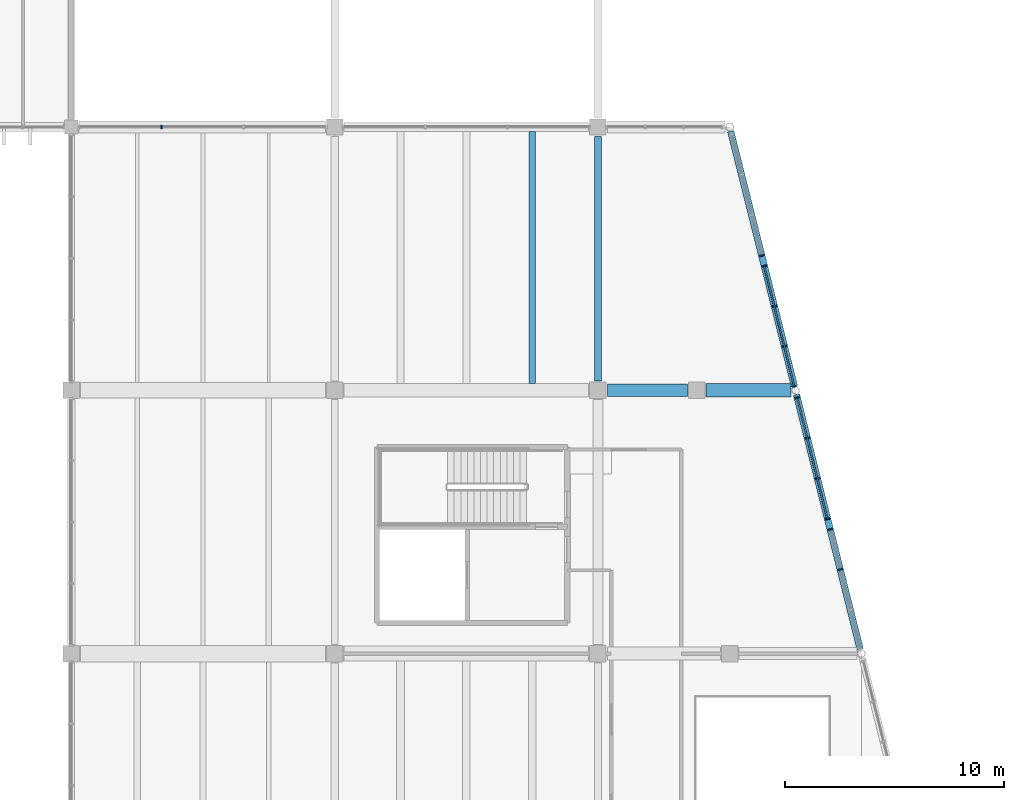
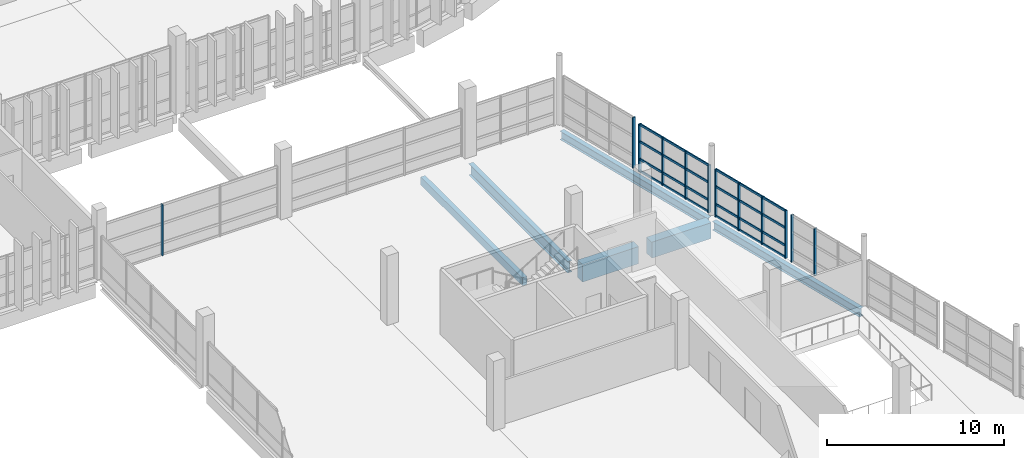
# One storey, part 45 of 112: 20 members, 6 beams, 5 elements without a shape of their own.
"""IFC4 building model written with IfcOpenShell, lengths in metres."""

import ifcopenshell
import ifcopenshell.guid

model = None  # the IFC model being written
_history = None  # IfcOwnerHistory: only IFC2X3 demands one
_inside = {}  # id of a spatial element -> (the spatial element, [elements in it])
_under = {}  # id of a project, library or spatial element -> (it, [spatial elements below it])
_declared = {}  # id of a project -> (the project, [libraries it declares])
_typed = {}  # id of a type object -> (the type object, [elements of that type])
_made_of = {}  # id of a material, layer set ... -> (it, [elements and type objects made of it])


def new_model(schema):
    """Start an empty IFC model of exactly this schema.

    Asked for "IFC4X3", IfcOpenShell would pick the latest addendum, in which some entities
    have other attributes; the version numbers below select the first issue.
    IFC2X3 requires an IfcOwnerHistory on every rooted entity: one is made here for all.
    """
    global model, _history
    if schema == "IFC4X3":
        model = ifcopenshell.file(schema_version=(4, 3, 0, 0))
    else:
        model = ifcopenshell.file(schema=schema)
    _inside.clear()
    _under.clear()
    _declared.clear()
    _typed.clear()
    _made_of.clear()
    _history = None
    if model.schema == "IFC2X3":
        org = make("IfcOrganization", Name="unknown")
        user = make(
            "IfcPersonAndOrganization",
            ThePerson=make("IfcPerson", FamilyName="unknown"),
            TheOrganization=org,
        )
        app = make(
            "IfcApplication",
            ApplicationDeveloper=org,
            Version="unknown",
            ApplicationFullName="unknown",
            ApplicationIdentifier="unknown",
        )
        _history = make(
            "IfcOwnerHistory",
            OwningUser=user,
            OwningApplication=app,
            ChangeAction="ADDED",
            CreationDate=0,
        )
    return model


def make(cls, **values):
    """One entity of the class cls with the attributes given. An attribute that is None is left unset."""
    return model.create_entity(
        cls, **{name: value for name, value in values.items() if value is not None}
    )


def rooted(cls, **values):
    """An entity with a GlobalId (a new one), such as an element, a storey or a relation."""
    return make(cls, GlobalId=ifcopenshell.guid.new(), OwnerHistory=_history, **values)


def si_unit(unit_type, name, prefix=None):
    """IfcSIUnit, for example si_unit("LENGTHUNIT", "METRE", prefix="MILLI")."""
    return make("IfcSIUnit", UnitType=unit_type, Prefix=prefix, Name=name)


def assignment(units):
    """IfcUnitAssignment: the units of a project."""
    return None if units is None else make("IfcUnitAssignment", Units=units)


def point(xyz):
    """IfcCartesianPoint."""
    return None if xyz is None else make("IfcCartesianPoint", Coordinates=xyz)


def direction(xyz):
    """IfcDirection."""
    return None if xyz is None else make("IfcDirection", DirectionRatios=xyz)


def frame(location, z_axis=None, x_axis=None):
    """IfcAxis2Placement3D, a coordinate frame: its origin and axes. An axis left out is left unset."""
    return make(
        "IfcAxis2Placement3D",
        Location=point(location),
        Axis=direction(z_axis),
        RefDirection=direction(x_axis),
    )


def frame_2d(location, x_axis=None):
    """IfcAxis2Placement2D, a coordinate frame in the plane: its origin and x axis."""
    return make(
        "IfcAxis2Placement2D", Location=point(location), RefDirection=direction(x_axis)
    )


def origin():
    """The frame at (0, 0, 0) with its axes left unset."""
    return frame((0.0, 0.0, 0.0))


def origin_2d():
    """The frame at (0, 0) in the plane with its x axis left unset."""
    return frame_2d((0.0, 0.0))


def place(relative_to, where):
    """IfcLocalPlacement: puts the frame where relative to a parent placement (None: the world)."""
    return make(
        "IfcLocalPlacement", PlacementRelTo=relative_to, RelativePlacement=where
    )


def context(
    kind, dimensions, precision=None, world=None, true_north=None, identifier=None
):
    """IfcGeometricRepresentationContext, for example the 3D "Model" context."""
    return make(
        "IfcGeometricRepresentationContext",
        ContextIdentifier=identifier,
        ContextType=kind,
        CoordinateSpaceDimension=dimensions,
        Precision=precision,
        WorldCoordinateSystem=world,
        TrueNorth=true_north,
    )


def subcontext(parent, identifier, kind, view, scale=None):
    """IfcGeometricRepresentationSubContext, for example "Body" below "Model"."""
    return make(
        "IfcGeometricRepresentationSubContext",
        ContextIdentifier=identifier,
        ContextType=kind,
        ParentContext=parent,
        TargetScale=scale,
        TargetView=view,
    )


def project(units=None, contexts=None):
    """IfcProject with its units and contexts."""
    return rooted(
        "IfcProject",
        Name="project",
        RepresentationContexts=contexts,
        UnitsInContext=assignment(units),
    )


def spatial(cls, under=None, at=None, **own):
    """A site, building, storey or space (cls), placed at a placement, below another one or the project."""
    s = rooted(cls, ObjectPlacement=at, **own)
    if under is not None:
        _under.setdefault(under.id(), (under, []))[1].append(s)
    return s


def profile(cls, at=None, kind="AREA", **sizes):
    """A parametric profile (cls). Its sizes go by their IFC names, for example OverallWidth=200.0."""
    return make(cls, ProfileType=kind, Position=at, **sizes)


def rectangle(**sizes):
    """IfcRectangleProfileDef."""
    return profile("IfcRectangleProfileDef", **sizes)


def i_section(**sizes):
    """IfcIShapeProfileDef."""
    return profile("IfcIShapeProfileDef", **sizes)


def extrude(swept, where, along, depth):
    """IfcExtrudedAreaSolid: the profile swept, set in the frame where, extruded along a direction by depth."""
    return make(
        "IfcExtrudedAreaSolid",
        SweptArea=swept,
        Position=where,
        ExtrudedDirection=direction(along),
        Depth=depth,
    )


def shape(context_of_items, identifier, shape_type, items):
    """IfcShapeRepresentation: the items that make up one representation, for example the "Body"."""
    return make(
        "IfcShapeRepresentation",
        ContextOfItems=context_of_items,
        RepresentationIdentifier=identifier,
        RepresentationType=shape_type,
        Items=items,
    )


def material(Name=None, Category=None):
    """IfcMaterial."""
    return make("IfcMaterial", Name=Name, Category=Category)


def material_profile(
    of_material, cross_section, Name=None, Category=None, Priority=None
):
    """IfcMaterialProfile: a cross section and its material."""
    return make(
        "IfcMaterialProfile",
        Name=Name,
        Material=of_material,
        Profile=cross_section,
        Priority=Priority,
        Category=Category,
    )


def profile_set(profiles, Name=None, composite=None):
    """IfcMaterialProfileSet."""
    return make(
        "IfcMaterialProfileSet",
        Name=Name,
        MaterialProfiles=profiles,
        CompositeProfile=composite,
    )


def made_of(thing, what):
    """Note that an element or type object is made of a material, layer set ...; save() writes the relation."""
    if what is not None:
        _made_of.setdefault(what.id(), (what, []))[1].append(thing)
    return thing


def type_object(cls, material=None, **own):
    """A type object (cls), such as IfcWallType, which elements share."""
    return made_of(rooted(cls, **own), material)


def element(
    cls,
    number,
    at=None,
    inside=None,
    cuts=None,
    type_object=None,
    material=None,
    context=None,
    identifier="Body",
    shape_type=None,
    held_by="IfcProductDefinitionShape",
    body=None,
    shapes=None,
    **own,
):
    """One element of the class cls, such as IfcWall. Its Tag is "e" and its number.

    at: its placement. inside: the storey or other place that contains it. cuts: it is an
    opening in that element (IfcRelVoidsElement). A single representation is given by context,
    identifier, shape_type and body (its items); several are given by shapes. held_by: the class
    of the entity that holds the representations. save() writes the other relations.
    """
    e = rooted(cls, Tag="e%d" % number, ObjectPlacement=at, **own)
    if body is not None:
        shapes = [shape(context, identifier, shape_type, body)]
    if shapes is not None:
        e.Representation = make(held_by, Representations=shapes)
    if inside is not None:
        _inside.setdefault(inside.id(), (inside, []))[1].append(e)
    if cuts is not None:
        rooted(
            "IfcRelVoidsElement", RelatingBuildingElement=cuts, RelatedOpeningElement=e
        )
    if type_object is not None:
        _typed.setdefault(type_object.id(), (type_object, []))[1].append(e)
    return made_of(e, material)


def aggregate(whole, parts):
    """IfcRelAggregates: a whole, such as a stair, and the parts it consists of."""
    return rooted("IfcRelAggregates", RelatingObject=whole, RelatedObjects=parts)


def save(model, path):
    """Write the relations noted so far, then the file.

    IfcRelAggregates (storeys below a building ...), IfcRelContainedInSpatialStructure (elements
    in a storey), IfcRelDefinesByType, IfcRelAssociatesMaterial and IfcRelDeclares: one each for
    every whole, place, type object, material and project.
    """
    for whole, parts in _under.values():
        aggregate(whole, parts)
    for where, things in _inside.values():
        rooted(
            "IfcRelContainedInSpatialStructure",
            RelatedElements=things,
            RelatingStructure=where,
        )
    for kind, things in _typed.values():
        rooted("IfcRelDefinesByType", RelatedObjects=things, RelatingType=kind)
    for what, things in _made_of.values():
        rooted("IfcRelAssociatesMaterial", RelatedObjects=things, RelatingMaterial=what)
    for by, libraries in _declared.values():
        rooted("IfcRelDeclares", RelatingContext=by, RelatedDefinitions=libraries)
    model.write(path)


model = new_model("IFC4")

# Units and contexts
model_context = context("Model", 3, precision=1e-05, world=origin(), true_north=direction((0.0, 1.0)))
body_context = subcontext(model_context, "Body", "Model", "MODEL_VIEW")
ifc_project = project(units=[si_unit("LENGTHUNIT", "METRE"), si_unit("AREAUNIT", "SQUARE_METRE"), si_unit("VOLUMEUNIT", "CUBIC_METRE"), si_unit("PLANEANGLEUNIT", "RADIAN"), si_unit("MASSUNIT", "GRAM", prefix="KILO")], contexts=[model_context])

# Site, building, storey
site_placement = place(None, origin())
site = spatial("IfcSite", under=ifc_project, at=site_placement, CompositionType="ELEMENT")
building_placement = place(site_placement, origin())
building = spatial("IfcBuilding", under=site, at=building_placement, Name="Kamomehara Wholesale Market", CompositionType="ELEMENT")
storey_placement = place(building_placement, frame((0.0, 0.0, 6.60009765625)))
storey = spatial("IfcBuildingStorey", under=building, at=storey_placement, Name="L01", CompositionType="ELEMENT", Elevation=6.60009765625)

# Beams
ifc_material_1 = material(Name="Precast concrete Fc45 (C40/50)", Category="concrete")
ifc_material_profile_1 = material_profile(ifc_material_1, rectangle(XDim=0.60009765625, YDim=1.10009765625, at=origin_2d()), Name="PC-GRD-600x1100")
ifc_profile_set_1 = profile_set([ifc_material_profile_1], Name="Precast concrete Fc45 (C40/50)")
beam_type_1 = type_object("IfcBeamType", Name="BM-PG1100", PredefinedType="T_BEAM", material=ifc_profile_set_1)
beam_1_placement = place(storey_placement, frame((184.925048828125, 84.0, -0.902099609375), z_axis=(1.0, 0.0, 0.0), x_axis=(0.0, 1.0, 0.0)))
element("IfcBeam", 1, at=beam_1_placement, inside=storey, type_object=beam_type_1, Name="Beam PG-07 L01", PredefinedType="T_BEAM", context=body_context, shape_type="SweptSolid", body=[
    extrude(rectangle(XDim=0.60009765625, YDim=1.10009765625, at=origin_2d()), origin(), (0.0, 0.0, 1.0), 3.8720703125),
])
ifc_material_2 = material(Name="Precast concrete Fc45 (C40/50)", Category="concrete")
ifc_material_profile_2 = material_profile(ifc_material_2, rectangle(XDim=0.580078125, YDim=1.179931640625, at=origin_2d()), Name="PC-GRD-580x1180")
ifc_profile_set_2 = profile_set([ifc_material_profile_2], Name="Precast concrete Fc45 (C40/50)")
beam_type_2 = type_object("IfcBeamType", Name="BM-PG1180", PredefinedType="T_BEAM", material=ifc_profile_set_2)
beam_2_placement = place(storey_placement, frame((180.425048828125, 84.0, -0.942138671875), z_axis=(1.0, 0.0, 0.0), x_axis=(0.0, 1.0, 0.0)))
element("IfcBeam", 2, at=beam_2_placement, inside=storey, type_object=beam_type_2, Name="Beam PG-14 L01", PredefinedType="T_BEAM", context=body_context, shape_type="SweptSolid", body=[
    extrude(rectangle(XDim=0.580078125, YDim=1.179931640625, at=origin_2d()), origin(), (0.0, 0.0, 1.0), 3.64990234375),
])
ifc_material_3 = material(Name="Precast concrete Fc45 (C40/50)", Category="concrete")
ifc_material_profile_3 = material_profile(ifc_material_3, rectangle(XDim=0.300048828125, YDim=0.550048828125, at=origin_2d()), Name="PC-JST-300x550")
ifc_profile_set_3 = profile_set([ifc_material_profile_3], Name="Precast concrete Fc45 (C40/50)")
beam_type_3 = type_object("IfcBeamType", Name="BM-PJ550", PredefinedType="JOIST", material=ifc_profile_set_3)
beam_3_placement = place(storey_placement, frame((177.0, 84.31005859375, -0.627197265625), z_axis=(0.0, 1.0, 0.0), x_axis=(-1.0, 0.0, 0.0)))
element("IfcBeam", 3, at=beam_3_placement, inside=storey, type_object=beam_type_3, Name="Beam PJ-06 L01", PredefinedType="JOIST", context=body_context, shape_type="SweptSolid", body=[
    extrude(rectangle(XDim=0.300048828125, YDim=0.550048828125, at=origin_2d()), origin(), (0.0, 0.0, 1.0), 11.489990234375),
])
ifc_material_4 = material(Name="Steel SN490B", Category="steel")
ifc_material_profile_4 = material_profile(ifc_material_4, i_section(OverallWidth=0.300048828125, OverallDepth=0.587890625, WebThickness=0.011962890625, FlangeThickness=0.02001953125, FilletRadius=0.02197265625, at=origin_2d()), Name="H-588x300x12x20")
ifc_profile_set_4 = profile_set([ifc_material_profile_4], Name="Steel SN490B")
beam_type_4 = type_object("IfcBeamType", Name="BM-ST-H588-EXT", PredefinedType="BEAM", material=ifc_profile_set_4)
for number, where, z_axis, x_axis, name in (
    (4, (191.950927734375, 72.197021484375, -0.64599609375), (-0.242564435623, 0.970135297044, 0.0), (-0.970135297044, -0.242564435623, 0.0), "Beam SG-06E L01"),
    (5, (188.950927734375, 84.197021484375, -0.64599609375), (-0.242564435623, 0.970135297044, 0.0), (-0.970135297044, -0.242564435623, 0.0), "Beam SG-06E L01"),
):
    element("IfcBeam", number, at=place(storey_placement, frame(where, z_axis=z_axis, x_axis=x_axis)), inside=storey, type_object=beam_type_4, Name=name, PredefinedType="BEAM", context=body_context, shape_type="SweptSolid", body=[
        extrude(i_section(OverallWidth=0.300048828125, OverallDepth=0.587890625, WebThickness=0.011962890625, FlangeThickness=0.02001953125, FilletRadius=0.02197265625, at=origin_2d()), origin(), (0.0, 0.0, 1.0), 11.963134765625),
    ])
ifc_material_5 = material(Name="Steel SN490B", Category="steel")
ifc_material_profile_5 = material_profile(ifc_material_5, i_section(OverallWidth=0.300048828125, OverallDepth=0.800048828125, WebThickness=0.013916015625, FlangeThickness=0.02587890625, FilletRadius=0.02392578125, at=origin_2d()), Name="H-800x300x14x26")
ifc_profile_set_5 = profile_set([ifc_material_profile_5], Name="Steel SN490B")
beam_type_5 = type_object("IfcBeamType", Name="BM-ST-H800", PredefinedType="BEAM", material=ifc_profile_set_5)
beam_4_placement = place(storey_placement, frame((180.0, 84.425048828125, -0.752197265625), z_axis=(0.0, 1.0, 0.0), x_axis=(-1.0, 0.0, 0.0)))
element("IfcBeam", 6, at=beam_4_placement, inside=storey, type_object=beam_type_5, Name="Beam SG-02 L01", PredefinedType="BEAM", context=body_context, shape_type="SweptSolid", body=[
    extrude(i_section(OverallWidth=0.300048828125, OverallDepth=0.800048828125, WebThickness=0.013916015625, FlangeThickness=0.02587890625, FilletRadius=0.02392578125, at=origin_2d()), origin(), (0.0, 0.0, 1.0), 11.14990234375),
])

# Curtain wall, members
ifc_material_6 = material(Name="Anodised aluminium 6063-T5", Category="aluminium")
curtain_wall_type_1 = type_object("IfcCurtainWallType", Name="CW-UN-09", PredefinedType="NOTDEFINED", material=ifc_material_6)
curtain_wall_1_placement = place(storey_placement, origin())
curtain_wall_1 = element("IfcCurtainWall", 7, at=curtain_wall_1_placement, inside=storey, type_object=curtain_wall_type_1, Name="Unitised curtain wall CW-185", PredefinedType="NOTDEFINED")
ifc_material_7 = material(Name="Anodised aluminium 6063-T5", Category="aluminium")
ifc_material_profile_6 = material_profile(ifc_material_7, rectangle(XDim=0.074951171875, YDim=0.179931640625, at=origin_2d()), Name="ALU-MUL-75x180")
ifc_profile_set_6 = profile_set([ifc_material_profile_6], Name="Anodised aluminium 6063-T5")
member_type_1 = type_object("IfcMemberType", Name="CW-MUL-180", PredefinedType="MULLION", material=ifc_profile_set_6)
member_1_placement = place(storey_placement, frame((189.0849609375, 83.659912109375, 0.0), z_axis=(0.0, 0.0, 1.0), x_axis=(0.242617855844, -0.97012193874, 0.0)))
member_1 = element("IfcMember", 8, at=member_1_placement, type_object=member_type_1, Name="Mullion CW-185.0", PredefinedType="MULLION", context=body_context, shape_type="SweptSolid", body=[
    extrude(rectangle(XDim=0.074951171875, YDim=0.179931640625, at=origin_2d()), origin(), (0.0, 0.0, 1.0), 3.27783203125),
])
member_2_placement = place(storey_placement, frame((189.544921875, 81.822021484375, 0.0), z_axis=(0.0, 0.0, 1.0), x_axis=(0.242617855844, -0.97012193874, 0.0)))
member_2 = element("IfcMember", 9, at=member_2_placement, type_object=member_type_1, Name="Mullion CW-185.1", PredefinedType="MULLION", context=body_context, shape_type="SweptSolid", body=[
    extrude(rectangle(XDim=0.074951171875, YDim=0.179931640625, at=origin_2d()), origin(), (0.0, 0.0, 1.0), 3.27783203125),
])
member_3_placement = place(storey_placement, frame((190.00390625, 79.98388671875, 0.0), z_axis=(0.0, 0.0, 1.0), x_axis=(0.242617855844, -0.97012193874, 0.0)))
member_3 = element("IfcMember", 10, at=member_3_placement, type_object=member_type_1, Name="Mullion CW-185.2", PredefinedType="MULLION", context=body_context, shape_type="SweptSolid", body=[
    extrude(rectangle(XDim=0.074951171875, YDim=0.179931640625, at=origin_2d()), origin(), (0.0, 0.0, 1.0), 3.27783203125),
])
member_4_placement = place(storey_placement, frame((190.464111328125, 78.14599609375, 0.0), z_axis=(0.0, 0.0, 1.0), x_axis=(0.242617855844, -0.97012193874, 0.0)))
member_4 = element("IfcMember", 11, at=member_4_placement, type_object=member_type_1, Name="Mullion CW-185.3", PredefinedType="MULLION", context=body_context, shape_type="SweptSolid", body=[
    extrude(rectangle(XDim=0.074951171875, YDim=0.179931640625, at=origin_2d()), origin(), (0.0, 0.0, 1.0), 3.27783203125),
])

curtain_wall_2_placement = place(storey_placement, origin())
curtain_wall_2 = element("IfcCurtainWall", 12, at=curtain_wall_2_placement, inside=storey, type_object=curtain_wall_type_1, Name="Unitised curtain wall CW-186", PredefinedType="NOTDEFINED")
member_5_placement = place(storey_placement, frame((190.5849609375, 77.659912109375, 0.0), z_axis=(0.0, 0.0, 1.0), x_axis=(0.242451920441, -0.970163422458, 0.0)))
member_5 = element("IfcMember", 13, at=member_5_placement, type_object=member_type_1, Name="Mullion CW-186.0", PredefinedType="MULLION", context=body_context, shape_type="SweptSolid", body=[
    extrude(rectangle(XDim=0.074951171875, YDim=0.179931640625, at=origin_2d()), origin(), (0.0, 0.0, 1.0), 3.247802734375),
])
member_6_placement = place(storey_placement, frame((191.041015625, 75.833984375, 0.0), z_axis=(0.0, 0.0, 1.0), x_axis=(0.242451920441, -0.970163422458, 0.0)))
member_6 = element("IfcMember", 14, at=member_6_placement, type_object=member_type_1, Name="Mullion CW-186.1", PredefinedType="MULLION", context=body_context, shape_type="SweptSolid", body=[
    extrude(rectangle(XDim=0.074951171875, YDim=0.179931640625, at=origin_2d()), origin(), (0.0, 0.0, 1.0), 3.247802734375),
])
aggregate(curtain_wall_2, [member_5, member_6])

# Curtain wall, member
curtain_wall_3_placement = place(storey_placement, origin())
curtain_wall_3 = element("IfcCurtainWall", 15, at=curtain_wall_3_placement, inside=storey, type_object=curtain_wall_type_1, Name="Unitised curtain wall CW-187", PredefinedType="NOTDEFINED")
member_7_placement = place(storey_placement, frame((187.464111328125, 90.14599609375, 0.0), z_axis=(0.0, 0.0, 1.0), x_axis=(0.242617855844, -0.97012193874, 0.0)))
member_7 = element("IfcMember", 16, at=member_7_placement, type_object=member_type_1, Name="Mullion CW-187.3", PredefinedType="MULLION", context=body_context, shape_type="SweptSolid", body=[
    extrude(rectangle(XDim=0.074951171875, YDim=0.179931640625, at=origin_2d()), origin(), (0.0, 0.0, 1.0), 3.477783203125),
])
aggregate(curtain_wall_3, [member_7])

# Curtain wall, members
curtain_wall_4_placement = place(storey_placement, origin())
curtain_wall_4 = element("IfcCurtainWall", 17, at=curtain_wall_4_placement, inside=storey, type_object=curtain_wall_type_1, Name="Unitised curtain wall CW-188", PredefinedType="NOTDEFINED")
member_8_placement = place(storey_placement, frame((187.5849609375, 89.659912109375, 0.0), z_axis=(0.0, 0.0, 1.0), x_axis=(0.242451920441, -0.970163422458, 0.0)))
member_8 = element("IfcMember", 18, at=member_8_placement, type_object=member_type_1, Name="Mullion CW-188.0", PredefinedType="MULLION", context=body_context, shape_type="SweptSolid", body=[
    extrude(rectangle(XDim=0.074951171875, YDim=0.179931640625, at=origin_2d()), origin(), (0.0, 0.0, 1.0), 3.27783203125),
])
member_9_placement = place(storey_placement, frame((188.041015625, 87.833984375, 0.0), z_axis=(0.0, 0.0, 1.0), x_axis=(0.242451920441, -0.970163422458, 0.0)))
member_9 = element("IfcMember", 19, at=member_9_placement, type_object=member_type_1, Name="Mullion CW-188.1", PredefinedType="MULLION", context=body_context, shape_type="SweptSolid", body=[
    extrude(rectangle(XDim=0.074951171875, YDim=0.179931640625, at=origin_2d()), origin(), (0.0, 0.0, 1.0), 3.27783203125),
])
member_10_placement = place(storey_placement, frame((188.498046875, 86.008056640625, 0.0), z_axis=(0.0, 0.0, 1.0), x_axis=(0.242451920441, -0.970163422458, 0.0)))
member_10 = element("IfcMember", 20, at=member_10_placement, type_object=member_type_1, Name="Mullion CW-188.2", PredefinedType="MULLION", context=body_context, shape_type="SweptSolid", body=[
    extrude(rectangle(XDim=0.074951171875, YDim=0.179931640625, at=origin_2d()), origin(), (0.0, 0.0, 1.0), 3.27783203125),
])
member_11_placement = place(storey_placement, frame((188.9541015625, 84.181884765625, 0.0), z_axis=(0.0, 0.0, 1.0), x_axis=(0.242451920441, -0.970163422458, 0.0)))
member_11 = element("IfcMember", 21, at=member_11_placement, type_object=member_type_1, Name="Mullion CW-188.3", PredefinedType="MULLION", context=body_context, shape_type="SweptSolid", body=[
    extrude(rectangle(XDim=0.074951171875, YDim=0.179931640625, at=origin_2d()), origin(), (0.0, 0.0, 1.0), 3.27783203125),
])

# Curtain wall, member
ifc_material_8 = material(Name="Anodised aluminium 6063-T5", Category="aluminium")
curtain_wall_type_2 = type_object("IfcCurtainWallType", Name="CW-UN-08", PredefinedType="NOTDEFINED", material=ifc_material_8)
curtain_wall_5_placement = place(storey_placement, origin())
curtain_wall_5 = element("IfcCurtainWall", 22, at=curtain_wall_5_placement, inside=storey, type_object=curtain_wall_type_2, Name="Unitised curtain wall CW-189", PredefinedType="NOTDEFINED")
member_12_placement = place(storey_placement, frame((160.10498046875, 96.0, 0.0), z_axis=(0.0, 0.0, 1.0), x_axis=(1.0, 0.0, 0.0)))
member_12 = element("IfcMember", 23, at=member_12_placement, type_object=member_type_1, Name="Mullion CW-189.1", PredefinedType="MULLION", context=body_context, shape_type="SweptSolid", body=[
    extrude(rectangle(XDim=0.074951171875, YDim=0.179931640625, at=origin_2d()), origin(), (0.0, 0.0, 1.0), 3.517822265625),
])
aggregate(curtain_wall_5, [member_12])

# Member
ifc_material_9 = material(Name="Anodised aluminium 6063-T5", Category="aluminium")
ifc_material_profile_7 = material_profile(ifc_material_9, rectangle(XDim=0.074951171875, YDim=0.14990234375, at=origin_2d()), Name="ALU-TRN-75x150")
ifc_profile_set_7 = profile_set([ifc_material_profile_7], Name="Anodised aluminium 6063-T5")
member_type_2 = type_object("IfcMemberType", Name="CW-TRN-150", PredefinedType="USERDEFINED", material=ifc_profile_set_7)
member_13_placement = place(storey_placement, frame((189.0849609375, 83.659912109375, 0.039794921875), z_axis=(0.242646798343, -0.97011470005, 0.0), x_axis=(0.97011470005, 0.242646798343, 0.0)))
member_13 = element("IfcMember", 24, at=member_13_placement, type_object=member_type_2, Name="Transom CW-185.0", ObjectType="TRANSOM", PredefinedType="USERDEFINED", context=body_context, shape_type="SweptSolid", body=[
    extrude(rectangle(XDim=0.074951171875, YDim=0.14990234375, at=origin_2d()), origin(), (0.0, 0.0, 1.0), 5.683837890625),
])

member_14_placement = place(storey_placement, frame((189.0849609375, 83.659912109375, 0.849853515625), z_axis=(0.242646798343, -0.97011470005, 0.0), x_axis=(0.97011470005, 0.242646798343, 0.0)))
member_14 = element("IfcMember", 25, at=member_14_placement, type_object=member_type_2, Name="Transom CW-185.1", ObjectType="TRANSOM", PredefinedType="USERDEFINED", context=body_context, shape_type="SweptSolid", body=[
    extrude(rectangle(XDim=0.074951171875, YDim=0.14990234375, at=origin_2d()), origin(), (0.0, 0.0, 1.0), 5.683837890625),
])

member_15_placement = place(storey_placement, frame((189.0849609375, 83.659912109375, 2.06396484375), z_axis=(0.242646798343, -0.97011470005, 0.0), x_axis=(0.97011470005, 0.242646798343, 0.0)))
member_15 = element("IfcMember", 26, at=member_15_placement, type_object=member_type_2, Name="Transom CW-185.2", ObjectType="TRANSOM", PredefinedType="USERDEFINED", context=body_context, shape_type="SweptSolid", body=[
    extrude(rectangle(XDim=0.074951171875, YDim=0.14990234375, at=origin_2d()), origin(), (0.0, 0.0, 1.0), 5.683837890625),
])

member_16_placement = place(storey_placement, frame((189.0849609375, 83.659912109375, 3.23779296875), z_axis=(0.242646798343, -0.97011470005, 0.0), x_axis=(0.97011470005, 0.242646798343, 0.0)))
member_16 = element("IfcMember", 27, at=member_16_placement, type_object=member_type_2, Name="Transom CW-185.3", ObjectType="TRANSOM", PredefinedType="USERDEFINED", context=body_context, shape_type="SweptSolid", body=[
    extrude(rectangle(XDim=0.074951171875, YDim=0.14990234375, at=origin_2d()), origin(), (0.0, 0.0, 1.0), 5.683837890625),
])

aggregate(curtain_wall_1, [member_1, member_2, member_3, member_4, member_13, member_14, member_15, member_16])

member_17_placement = place(storey_placement, frame((187.5849609375, 89.659912109375, 0.039794921875), z_axis=(0.242474583711, -0.970157758436, 0.0), x_axis=(0.970157758436, 0.242474583711, 0.0)))
member_17 = element("IfcMember", 28, at=member_17_placement, type_object=member_type_2, Name="Transom CW-188.0", ObjectType="TRANSOM", PredefinedType="USERDEFINED", context=body_context, shape_type="SweptSolid", body=[
    extrude(rectangle(XDim=0.074951171875, YDim=0.14990234375, at=origin_2d()), origin(), (0.0, 0.0, 1.0), 5.646484375),
])

member_18_placement = place(storey_placement, frame((187.5849609375, 89.659912109375, 0.849853515625), z_axis=(0.242474583711, -0.970157758436, 0.0), x_axis=(0.970157758436, 0.242474583711, 0.0)))
member_18 = element("IfcMember", 29, at=member_18_placement, type_object=member_type_2, Name="Transom CW-188.1", ObjectType="TRANSOM", PredefinedType="USERDEFINED", context=body_context, shape_type="SweptSolid", body=[
    extrude(rectangle(XDim=0.074951171875, YDim=0.14990234375, at=origin_2d()), origin(), (0.0, 0.0, 1.0), 5.646484375),
])

member_19_placement = place(storey_placement, frame((187.5849609375, 89.659912109375, 2.06396484375), z_axis=(0.242474583711, -0.970157758436, 0.0), x_axis=(0.970157758436, 0.242474583711, 0.0)))
member_19 = element("IfcMember", 30, at=member_19_placement, type_object=member_type_2, Name="Transom CW-188.2", ObjectType="TRANSOM", PredefinedType="USERDEFINED", context=body_context, shape_type="SweptSolid", body=[
    extrude(rectangle(XDim=0.074951171875, YDim=0.14990234375, at=origin_2d()), origin(), (0.0, 0.0, 1.0), 5.646484375),
])

member_20_placement = place(storey_placement, frame((187.5849609375, 89.659912109375, 3.23779296875), z_axis=(0.242474583711, -0.970157758436, 0.0), x_axis=(0.970157758436, 0.242474583711, 0.0)))
member_20 = element("IfcMember", 31, at=member_20_placement, type_object=member_type_2, Name="Transom CW-188.3", ObjectType="TRANSOM", PredefinedType="USERDEFINED", context=body_context, shape_type="SweptSolid", body=[
    extrude(rectangle(XDim=0.074951171875, YDim=0.14990234375, at=origin_2d()), origin(), (0.0, 0.0, 1.0), 5.646484375),
])

aggregate(curtain_wall_4, [member_8, member_9, member_10, member_11, member_17, member_18, member_19, member_20])

save(model, "model.ifc")
